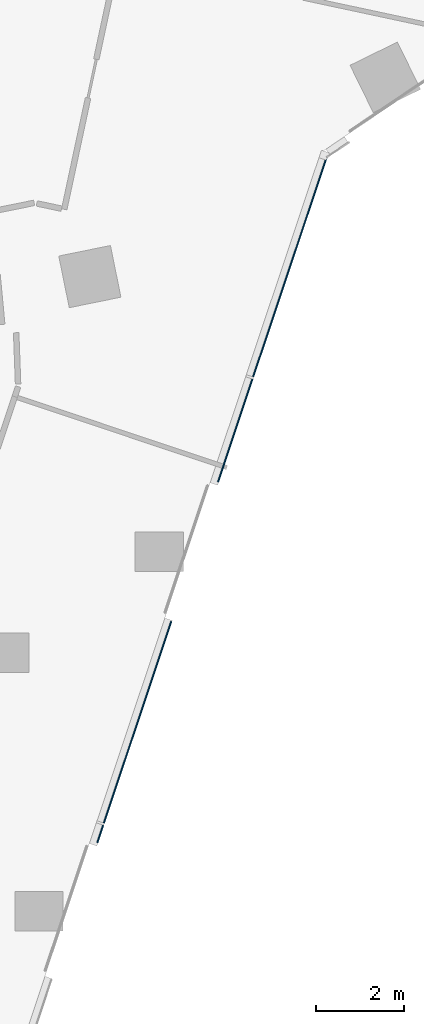
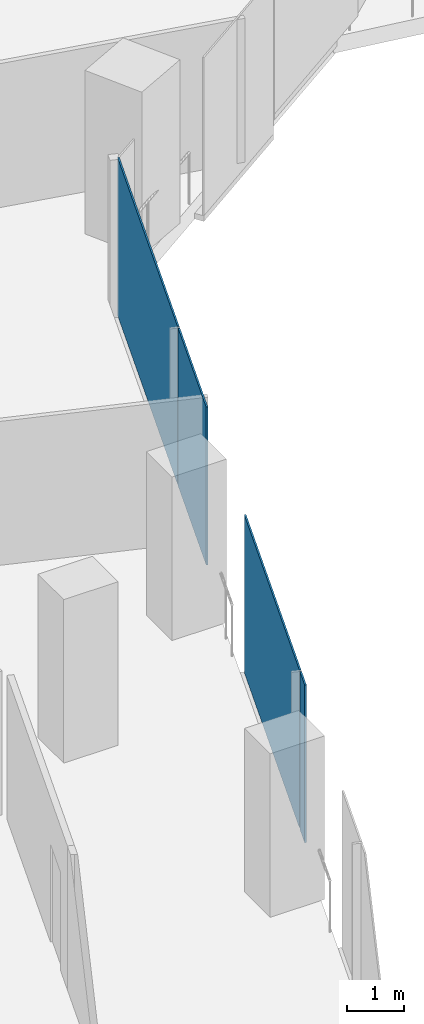
# One storey, part 17 of 34: 4 plates, 1 element without a shape of its own.
"""IFC4 building model written with IfcOpenShell, lengths in metres."""

import ifcopenshell
import ifcopenshell.guid

model = None  # the IFC model being written
_history = None  # IfcOwnerHistory: only IFC2X3 demands one
_inside = {}  # id of a spatial element -> (the spatial element, [elements in it])
_under = {}  # id of a project, library or spatial element -> (it, [spatial elements below it])
_declared = {}  # id of a project -> (the project, [libraries it declares])
_typed = {}  # id of a type object -> (the type object, [elements of that type])
_made_of = {}  # id of a material, layer set ... -> (it, [elements and type objects made of it])


def new_model(schema):
    """Start an empty IFC model of exactly this schema.

    Asked for "IFC4X3", IfcOpenShell would pick the latest addendum, in which some entities
    have other attributes; the version numbers below select the first issue.
    IFC2X3 requires an IfcOwnerHistory on every rooted entity: one is made here for all.
    """
    global model, _history
    if schema == "IFC4X3":
        model = ifcopenshell.file(schema_version=(4, 3, 0, 0))
    else:
        model = ifcopenshell.file(schema=schema)
    _inside.clear()
    _under.clear()
    _declared.clear()
    _typed.clear()
    _made_of.clear()
    _history = None
    if model.schema == "IFC2X3":
        org = make("IfcOrganization", Name="unknown")
        user = make(
            "IfcPersonAndOrganization",
            ThePerson=make("IfcPerson", FamilyName="unknown"),
            TheOrganization=org,
        )
        app = make(
            "IfcApplication",
            ApplicationDeveloper=org,
            Version="unknown",
            ApplicationFullName="unknown",
            ApplicationIdentifier="unknown",
        )
        _history = make(
            "IfcOwnerHistory",
            OwningUser=user,
            OwningApplication=app,
            ChangeAction="ADDED",
            CreationDate=0,
        )
    return model


def make(cls, **values):
    """One entity of the class cls with the attributes given. An attribute that is None is left unset."""
    return model.create_entity(
        cls, **{name: value for name, value in values.items() if value is not None}
    )


def rooted(cls, **values):
    """An entity with a GlobalId (a new one), such as an element, a storey or a relation."""
    return make(cls, GlobalId=ifcopenshell.guid.new(), OwnerHistory=_history, **values)


def si_unit(unit_type, name, prefix=None):
    """IfcSIUnit, for example si_unit("LENGTHUNIT", "METRE", prefix="MILLI")."""
    return make("IfcSIUnit", UnitType=unit_type, Prefix=prefix, Name=name)


def assignment(units):
    """IfcUnitAssignment: the units of a project."""
    return None if units is None else make("IfcUnitAssignment", Units=units)


def point(xyz):
    """IfcCartesianPoint."""
    return None if xyz is None else make("IfcCartesianPoint", Coordinates=xyz)


def direction(xyz):
    """IfcDirection."""
    return None if xyz is None else make("IfcDirection", DirectionRatios=xyz)


def frame(location, z_axis=None, x_axis=None):
    """IfcAxis2Placement3D, a coordinate frame: its origin and axes. An axis left out is left unset."""
    return make(
        "IfcAxis2Placement3D",
        Location=point(location),
        Axis=direction(z_axis),
        RefDirection=direction(x_axis),
    )


def frame_2d(location, x_axis=None):
    """IfcAxis2Placement2D, a coordinate frame in the plane: its origin and x axis."""
    return make(
        "IfcAxis2Placement2D", Location=point(location), RefDirection=direction(x_axis)
    )


def origin():
    """The frame at (0, 0, 0) with its axes left unset."""
    return frame((0.0, 0.0, 0.0))


def origin_2d():
    """The frame at (0, 0) in the plane with its x axis left unset."""
    return frame_2d((0.0, 0.0))


def place(relative_to, where):
    """IfcLocalPlacement: puts the frame where relative to a parent placement (None: the world)."""
    return make(
        "IfcLocalPlacement", PlacementRelTo=relative_to, RelativePlacement=where
    )


def context(
    kind, dimensions, precision=None, world=None, true_north=None, identifier=None
):
    """IfcGeometricRepresentationContext, for example the 3D "Model" context."""
    return make(
        "IfcGeometricRepresentationContext",
        ContextIdentifier=identifier,
        ContextType=kind,
        CoordinateSpaceDimension=dimensions,
        Precision=precision,
        WorldCoordinateSystem=world,
        TrueNorth=true_north,
    )


def subcontext(parent, identifier, kind, view, scale=None):
    """IfcGeometricRepresentationSubContext, for example "Body" below "Model"."""
    return make(
        "IfcGeometricRepresentationSubContext",
        ContextIdentifier=identifier,
        ContextType=kind,
        ParentContext=parent,
        TargetScale=scale,
        TargetView=view,
    )


def project(units=None, contexts=None):
    """IfcProject with its units and contexts."""
    return rooted(
        "IfcProject",
        Name="project",
        RepresentationContexts=contexts,
        UnitsInContext=assignment(units),
    )


def spatial(cls, under=None, at=None, **own):
    """A site, building, storey or space (cls), placed at a placement, below another one or the project."""
    s = rooted(cls, ObjectPlacement=at, **own)
    if under is not None:
        _under.setdefault(under.id(), (under, []))[1].append(s)
    return s


def profile(cls, at=None, kind="AREA", **sizes):
    """A parametric profile (cls). Its sizes go by their IFC names, for example OverallWidth=200.0."""
    return make(cls, ProfileType=kind, Position=at, **sizes)


def rectangle(**sizes):
    """IfcRectangleProfileDef."""
    return profile("IfcRectangleProfileDef", **sizes)


def extrude(swept, where, along, depth):
    """IfcExtrudedAreaSolid: the profile swept, set in the frame where, extruded along a direction by depth."""
    return make(
        "IfcExtrudedAreaSolid",
        SweptArea=swept,
        Position=where,
        ExtrudedDirection=direction(along),
        Depth=depth,
    )


def shape(context_of_items, identifier, shape_type, items):
    """IfcShapeRepresentation: the items that make up one representation, for example the "Body"."""
    return make(
        "IfcShapeRepresentation",
        ContextOfItems=context_of_items,
        RepresentationIdentifier=identifier,
        RepresentationType=shape_type,
        Items=items,
    )


def material(Name=None, Category=None):
    """IfcMaterial."""
    return make("IfcMaterial", Name=Name, Category=Category)


def layer(
    of_material, thickness, ventilated=None, Name=None, Category=None, Priority=None
):
    """IfcMaterialLayer: one layer of a wall or slab, of a material (None: an air gap)."""
    return make(
        "IfcMaterialLayer",
        Material=of_material,
        LayerThickness=thickness,
        IsVentilated=ventilated,
        Name=Name,
        Category=Category,
        Priority=Priority,
    )


def layer_set(layers, Name=None):
    """IfcMaterialLayerSet."""
    return make("IfcMaterialLayerSet", MaterialLayers=layers, LayerSetName=Name)


def made_of(thing, what):
    """Note that an element or type object is made of a material, layer set ...; save() writes the relation."""
    if what is not None:
        _made_of.setdefault(what.id(), (what, []))[1].append(thing)
    return thing


def type_object(cls, material=None, **own):
    """A type object (cls), such as IfcWallType, which elements share."""
    return made_of(rooted(cls, **own), material)


def element(
    cls,
    number,
    at=None,
    inside=None,
    cuts=None,
    type_object=None,
    material=None,
    context=None,
    identifier="Body",
    shape_type=None,
    held_by="IfcProductDefinitionShape",
    body=None,
    shapes=None,
    **own,
):
    """One element of the class cls, such as IfcWall. Its Tag is "e" and its number.

    at: its placement. inside: the storey or other place that contains it. cuts: it is an
    opening in that element (IfcRelVoidsElement). A single representation is given by context,
    identifier, shape_type and body (its items); several are given by shapes. held_by: the class
    of the entity that holds the representations. save() writes the other relations.
    """
    e = rooted(cls, Tag="e%d" % number, ObjectPlacement=at, **own)
    if body is not None:
        shapes = [shape(context, identifier, shape_type, body)]
    if shapes is not None:
        e.Representation = make(held_by, Representations=shapes)
    if inside is not None:
        _inside.setdefault(inside.id(), (inside, []))[1].append(e)
    if cuts is not None:
        rooted(
            "IfcRelVoidsElement", RelatingBuildingElement=cuts, RelatedOpeningElement=e
        )
    if type_object is not None:
        _typed.setdefault(type_object.id(), (type_object, []))[1].append(e)
    return made_of(e, material)


def aggregate(whole, parts):
    """IfcRelAggregates: a whole, such as a stair, and the parts it consists of."""
    return rooted("IfcRelAggregates", RelatingObject=whole, RelatedObjects=parts)


def save(model, path):
    """Write the relations noted so far, then the file.

    IfcRelAggregates (storeys below a building ...), IfcRelContainedInSpatialStructure (elements
    in a storey), IfcRelDefinesByType, IfcRelAssociatesMaterial and IfcRelDeclares: one each for
    every whole, place, type object, material and project.
    """
    for whole, parts in _under.values():
        aggregate(whole, parts)
    for where, things in _inside.values():
        rooted(
            "IfcRelContainedInSpatialStructure",
            RelatedElements=things,
            RelatingStructure=where,
        )
    for kind, things in _typed.values():
        rooted("IfcRelDefinesByType", RelatedObjects=things, RelatingType=kind)
    for what, things in _made_of.values():
        rooted("IfcRelAssociatesMaterial", RelatedObjects=things, RelatingMaterial=what)
    for by, libraries in _declared.values():
        rooted("IfcRelDeclares", RelatingContext=by, RelatedDefinitions=libraries)
    model.write(path)


model = new_model("IFC4")

# Units and contexts
model_context = context("Model", 3, precision=1e-05, world=origin(), true_north=direction((0.0, 1.0)))
body_context = subcontext(model_context, "Body", "Model", "MODEL_VIEW")
ifc_project = project(units=[si_unit("LENGTHUNIT", "METRE"), si_unit("AREAUNIT", "SQUARE_METRE"), si_unit("VOLUMEUNIT", "CUBIC_METRE"), si_unit("PLANEANGLEUNIT", "RADIAN"), si_unit("MASSUNIT", "GRAM", prefix="KILO")], contexts=[model_context])

# Site, building, storey
site_placement = place(None, origin())
site = spatial("IfcSite", under=ifc_project, at=site_placement, CompositionType="ELEMENT")
building_placement = place(site_placement, origin())
building = spatial("IfcBuilding", under=site, at=building_placement, Name="Orlundy Tower", CompositionType="ELEMENT")
storey_placement = place(building_placement, frame((0.0, 0.0, 145.60009765625)))
storey = spatial("IfcBuildingStorey", under=building, at=storey_placement, Name="L37", CompositionType="ELEMENT", Elevation=145.60009765625)

# Curtain wall, plates
ifc_material_1 = material(Name="Aluminium bronze anodised", Category="aluminium")
curtain_wall_type = type_object("IfcCurtainWallType", Name="CW1 wall", PredefinedType="NOTDEFINED", material=ifc_material_1)
curtain_wall_placement = place(storey_placement, origin())
curtain_wall = element("IfcCurtainWall", 1, at=curtain_wall_placement, inside=storey, type_object=curtain_wall_type, Name="CW1 run 02", PredefinedType="NOTDEFINED")
ifc_material_2 = material(Name="Tinted glass", Category="glass")
ifc_layer = layer(ifc_material_2, 0.031982421875)
ifc_layer_set = layer_set([ifc_layer], Name="CW1 glass panel 32")
plate_type = type_object("IfcPlateType", Name="CW1 glass panel 32", PredefinedType="CURTAIN_PANEL", material=ifc_layer_set)
plate_1_placement = place(storey_placement, frame((10.90087890625, -30.968505859375, -0.280029296875), z_axis=(0.0, 0.0, 1.0), x_axis=(-0.317314020344, -0.948320522025, 0.0)))
plate_1 = element("IfcPlate", 2, at=plate_1_placement, type_object=plate_type, Name="CW1 panel", PredefinedType="CURTAIN_PANEL", context=body_context, shape_type="SweptSolid", body=[
    extrude(rectangle(XDim=5.276123046875, YDim=0.031982421875, at=origin_2d()), origin(), (0.0, 0.0, 1.0), 3.3798828125),
])
plate_2_placement = place(storey_placement, frame((9.656005859375, -34.688720703125, -0.280029296875), z_axis=(0.0, 0.0, 1.0), x_axis=(-0.317314020344, -0.948320522025, 0.0)))
plate_2 = element("IfcPlate", 3, at=plate_2_placement, type_object=plate_type, Name="CW1 panel", PredefinedType="CURTAIN_PANEL", context=body_context, shape_type="SweptSolid", body=[
    extrude(rectangle(XDim=2.469482421875, YDim=0.031982421875, at=origin_2d()), origin(), (0.0, 0.0, 1.0), 3.3798828125),
])
plate_3_placement = place(storey_placement, frame((7.431884765625, -41.33544921875, -0.280029296875), z_axis=(0.0, 0.0, 1.0), x_axis=(-0.317314020344, -0.948320522025, 0.0)))
plate_3 = element("IfcPlate", 4, at=plate_3_placement, type_object=plate_type, Name="CW1 panel", PredefinedType="CURTAIN_PANEL", context=body_context, shape_type="SweptSolid", body=[
    extrude(rectangle(XDim=4.840087890625, YDim=0.031982421875, at=origin_2d()), origin(), (0.0, 0.0, 1.0), 3.3798828125),
])
plate_4_placement = place(storey_placement, frame((6.58154296875, -43.876953125, -0.280029296875), z_axis=(0.0, 0.0, 1.0), x_axis=(-0.317314020344, -0.948320522025, 0.0)))
plate_4 = element("IfcPlate", 5, at=plate_4_placement, type_object=plate_type, Name="CW1 panel", PredefinedType="CURTAIN_PANEL", context=body_context, shape_type="SweptSolid", body=[
    extrude(rectangle(XDim=0.419921875, YDim=0.031982421875, at=origin_2d()), origin(), (0.0, 0.0, 1.0), 3.3798828125),
])
aggregate(curtain_wall, [plate_1, plate_2, plate_3, plate_4])

save(model, "model.ifc")
